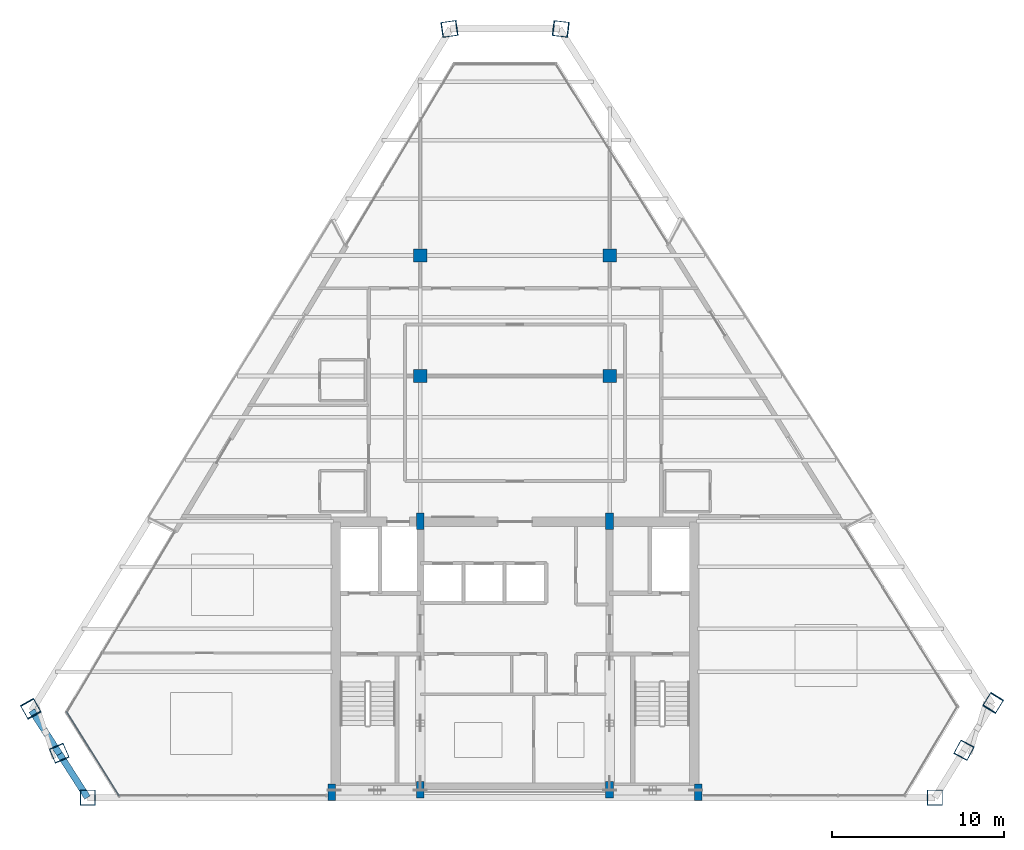
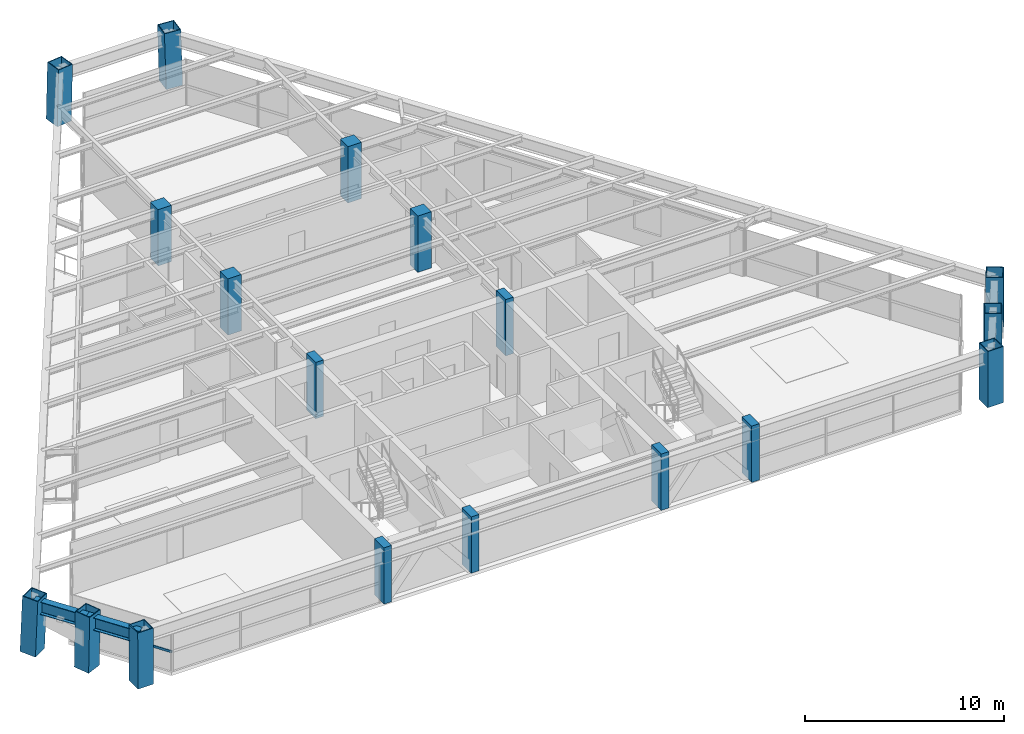
# One storey, part 1 of 12: 18 columns, 2 beams, 1 member, 1 element without a shape of its own.
"""IFC4 building model written with IfcOpenShell, lengths in metres."""

from ifc_helpers import new_model, si_unit, direction, frame, origin, origin_2d, place, context, subcontext, project, spatial, rectangle, hollow_rectangle, i_section, extrude, source, transform, mapped, material, material_profile, profile_set, type_object, element, aggregate, save


model = new_model("IFC4")

# Units and contexts
model_context = context("Model", 3, precision=1e-05, world=origin(), true_north=direction((0.0, 1.0)))
body_context = subcontext(model_context, "Body", "Model", "MODEL_VIEW")
ifc_project = project(units=[si_unit("LENGTHUNIT", "METRE"), si_unit("AREAUNIT", "SQUARE_METRE"), si_unit("VOLUMEUNIT", "CUBIC_METRE"), si_unit("PLANEANGLEUNIT", "RADIAN"), si_unit("MASSUNIT", "GRAM", prefix="KILO")], contexts=[model_context])

# Site, building, storey
site_placement = place(None, origin())
site = spatial("IfcSite", under=ifc_project, at=site_placement, CompositionType="ELEMENT")
building_placement = place(site_placement, origin())
building = spatial("IfcBuilding", under=site, at=building_placement, Name="Varnakhor Terracotta Tower", CompositionType="ELEMENT")
storey_placement = place(building_placement, frame((0.0, 0.0, 223.449951171875)))
storey = spatial("IfcBuildingStorey", under=building, at=storey_placement, Name="L57", CompositionType="ELEMENT", Elevation=223.449951171875)

# Columns
ifc_material_1 = material(Name="Concrete C50/60", Category="concrete")
ifc_material_profile_1 = material_profile(ifc_material_1, rectangle(XDim=0.449951171875, YDim=0.949951171875, at=origin_2d()), Name="RC PILASTER 950x450")
ifc_profile_set_1 = profile_set([ifc_material_profile_1], Name="Concrete C50/60")
column_type_1 = type_object("IfcColumnType", Name="COL-PIL-950x450", PredefinedType="PILASTER", material=ifc_profile_set_1)
shared_shape_1 = source(origin(), body_context, "Body", "SweptSolid", [
    extrude(rectangle(XDim=0.449951171875, YDim=0.949951171875, at=origin_2d()), origin(), (0.0, 0.0, 1.0), 3.449951171875),
])
for number, where, z_axis, x_axis, name in (
    (1, (-10.64990234375, 0.300048828125, 0.0), (0.0, 0.0, 1.0), (1.0, 0.0, 0.0), "L57 Core Pilaster CP1"),
    (2, (-5.5, 0.449951171875, 0.0), (0.0, 0.0, 1.0), (1.0, 0.0, 0.0), "L57 Core Pilaster CP2"),
    (3, (5.5, 0.449951171875, 0.0), (0.0, 0.0, 1.0), (1.0, 0.0, 0.0), "L57 Core Pilaster CP3"),
    (4, (10.64990234375, 0.300048828125, 0.0), (0.0, 0.0, 1.0), (1.0, 0.0, 0.0), "L57 Core Pilaster CP4"),
    (5, (-5.5, 16.050048828125, 0.0), (0.0, 0.0, 1.0), (1.0, 0.0, 0.0), "L57 Core Pilaster CP5"),
    (6, (5.5, 16.050048828125, 0.0), (0.0, 0.0, 1.0), (1.0, 0.0, 0.0), "L57 Core Pilaster CP6"),
):
    element("IfcColumn", number, at=place(storey_placement, frame(where, z_axis=z_axis, x_axis=x_axis)), inside=storey, type_object=column_type_1, Name=name, PredefinedType="PILASTER", context=body_context, shape_type="MappedRepresentation", body=[
        mapped(shared_shape_1, transform((0.0, 0.0, 0.0), scale=1.0)),
    ])
ifc_material_2 = material(Name="Steel S460", Category="steel")
ifc_material_profile_2 = material_profile(ifc_material_2, hollow_rectangle(XDim=0.89990234375, YDim=0.89990234375, WallThickness=0.044921875, at=origin_2d()), Name="BOX 900x900x45")
ifc_profile_set_2 = profile_set([ifc_material_profile_2], Name="Steel S460")
column_type_2 = type_object("IfcColumnType", Name="COL-MEGA-900", PredefinedType="COLUMN", material=ifc_profile_set_2)
shared_shape_2 = source(origin(), body_context, "Body", "SweptSolid", [
    extrude(hollow_rectangle(XDim=0.89990234375, YDim=0.89990234375, WallThickness=0.044921875, at=origin_2d()), origin(), (0.0, 0.0, 1.0), 3.441162109375),
])
for number, where, z_axis, x_axis, name in (
    (7, (-24.828369140625, 0.0, 0.00439453125), (-0.004753404971, 0.0, 0.999988702507), (0.0, -1.0, 0.0), "L57 Perimeter Mega-Column M1"),
    (8, (24.3994140625, 0.0, 0.00439453125), (0.002766928039, 0.0, 0.999996172047), (0.0, 1.0, 0.0), "L57 Perimeter Mega-Column M2"),
):
    element("IfcColumn", number, at=place(storey_placement, frame(where, z_axis=z_axis, x_axis=x_axis)), inside=storey, type_object=column_type_2, Name=name, PredefinedType="COLUMN", context=body_context, shape_type="MappedRepresentation", body=[
        mapped(shared_shape_2, transform((0.0, 0.0, 0.0), scale=1.0)),
    ])
shared_shape_3 = source(origin(), body_context, "Body", "SweptSolid", [
    extrude(hollow_rectangle(XDim=0.89990234375, YDim=0.89990234375, WallThickness=0.044921875, at=origin_2d()), origin(), (0.0, 0.0, 1.0), 3.44189453125),
])
for number, where, z_axis, x_axis, name in (
    (9, (26.100341796875, 2.76025390625, 0.00439453125), (-0.008937740985, -0.016669596282, 0.999821104671), (0.881312658049, -0.47253359538, 0.0), "L57 Perimeter Mega-Column M3"),
    (10, (-26.490478515625, 2.58984375, 0.00439453125), (0.007589951028, -0.017591662196, 0.999816446186), (0.918184808278, 0.396152316475, 0.0), "L57 Perimeter Mega-Column M8"),
):
    element("IfcColumn", number, at=place(storey_placement, frame(where, z_axis=z_axis, x_axis=x_axis)), inside=storey, type_object=column_type_2, Name=name, PredefinedType="COLUMN", context=body_context, shape_type="MappedRepresentation", body=[
        mapped(shared_shape_3, transform((0.0, 0.0, 0.0), scale=1.0)),
    ])
shared_shape_4 = source(origin(), body_context, "Body", "SweptSolid", [
    extrude(hollow_rectangle(XDim=0.89990234375, YDim=0.89990234375, WallThickness=0.044921875, at=origin_2d()), origin(), (0.0, 0.0, 1.0), 3.44384765625),
])
column_1_placement = place(storey_placement, frame((27.80126953125, 5.5205078125, 0.00439453125), z_axis=(-0.020558848127, -0.033390405062, 0.999230911558), x_axis=(0.85153414324, -0.524299154012, 0.0)))
element("IfcColumn", 11, at=column_1_placement, inside=storey, type_object=column_type_2, Name="L57 Perimeter Mega-Column M4", PredefinedType="COLUMN", context=body_context, shape_type="MappedRepresentation", body=[
    mapped(shared_shape_4, transform((0.0, 0.0, 0.0), scale=1.0)),
])
shared_shape_5 = source(origin(), body_context, "Body", "SweptSolid", [
    extrude(hollow_rectangle(XDim=0.89990234375, YDim=0.89990234375, WallThickness=0.044921875, at=origin_2d()), origin(), (0.0, 0.0, 1.0), 3.442138671875),
])
column_2_placement = place(storey_placement, frame((-3.820068359375, 44.667236328125, 0.00439453125), z_axis=(0.023689558785, 0.00340448749, 0.999713566113), x_axis=(-0.142251104665, 0.989830603296, 0.0)))
element("IfcColumn", 12, at=column_2_placement, inside=storey, type_object=column_type_2, Name="L57 Perimeter Mega-Column M6", PredefinedType="COLUMN", context=body_context, shape_type="MappedRepresentation", body=[
    mapped(shared_shape_5, transform((0.0, 0.0, 0.0), scale=1.0)),
])
shared_shape_6 = source(origin(), body_context, "Body", "SweptSolid", [
    extrude(hollow_rectangle(XDim=0.89990234375, YDim=0.89990234375, WallThickness=0.044921875, at=origin_2d()), origin(), (0.0, 0.0, 1.0), 3.444091796875),
])
column_3_placement = place(storey_placement, frame((-28.15234375, 5.1796875, 0.00439453125), z_axis=(0.019848951328, -0.035231888608, 0.999182032042), x_axis=(0.871247627745, 0.490843733941, 0.0)))
element("IfcColumn", 13, at=column_3_placement, inside=storey, type_object=column_type_2, Name="L57 Perimeter Mega-Column M7", PredefinedType="COLUMN", context=body_context, shape_type="MappedRepresentation", body=[
    mapped(shared_shape_6, transform((0.0, 0.0, 0.0), scale=1.0)),
])
ifc_material_profile_3 = material_profile(ifc_material_1, rectangle(XDim=0.780029296875, YDim=0.780029296875, at=origin_2d()), Name="RC 780x780")
ifc_profile_set_3 = profile_set([ifc_material_profile_3], Name="Concrete C50/60")
column_type_3 = type_object("IfcColumnType", Name="COL-RC-780", PredefinedType="COLUMN", material=ifc_profile_set_3)
shared_shape_7 = source(origin(), body_context, "Body", "SweptSolid", [
    extrude(rectangle(XDim=0.780029296875, YDim=0.780029296875, at=origin_2d()), origin(), (0.0, 0.0, 1.0), 3.449951171875),
])
for number, where, z_axis, x_axis, name in (
    (14, (-5.5, 24.5, 0.0), (0.0, 0.0, 1.0), (1.0, 0.0, 0.0), "L57 Interior Tower Column IC1"),
    (15, (5.5, 24.5, 0.0), (0.0, 0.0, 1.0), (1.0, 0.0, 0.0), "L57 Interior Tower Column IC2"),
    (16, (-5.5, 31.5, 0.0), (0.0, 0.0, 1.0), (1.0, 0.0, 0.0), "L57 Interior Tower Column IC3"),
    (17, (5.5, 31.5, 0.0), (0.0, 0.0, 1.0), (1.0, 0.0, 0.0), "L57 Interior Tower Column IC4"),
):
    element("IfcColumn", number, at=place(storey_placement, frame(where, z_axis=z_axis, x_axis=x_axis)), inside=storey, type_object=column_type_3, Name=name, PredefinedType="COLUMN", context=body_context, shape_type="MappedRepresentation", body=[
        mapped(shared_shape_7, transform((0.0, 0.0, 0.0), scale=1.0)),
    ])
shared_shape_8 = source(origin(), body_context, "Body", "SweptSolid", [
    extrude(hollow_rectangle(XDim=0.89990234375, YDim=0.89990234375, WallThickness=0.044921875, at=origin_2d()), origin(), (0.0, 0.0, 1.0), 3.442626953125),
])
column_4_placement = place(storey_placement, frame((2.67919921875, 44.667236328125, 0.00439453125), z_axis=(-0.029005005273, 0.003404010399, 0.999573470227), x_axis=(-0.116559458054, -0.993183715502, 0.0)))
element("IfcColumn", 18, at=column_4_placement, inside=storey, type_object=column_type_2, Name="L57 Perimeter Mega-Column M5", PredefinedType="COLUMN", context=body_context, shape_type="MappedRepresentation", body=[
    mapped(shared_shape_8, transform((0.0, 0.0, 0.0), scale=1.0)),
])

# Beams
ifc_material_3 = material(Name="Steel S355", Category="steel")
ifc_material_profile_4 = material_profile(ifc_material_3, i_section(OverallWidth=0.381103515625, OverallDepth=0.77294921875, WebThickness=0.01708984375, FlangeThickness=0.027099609375, FilletRadius=0.01806640625, at=origin_2d()), Name="W30X173")
ifc_profile_set_4 = profile_set([ifc_material_profile_4], Name="Steel S355")
beam_type = type_object("IfcBeamType", Name="BM-W30X173", PredefinedType="BEAM", material=ifc_profile_set_4)
shared_shape_9 = source(origin(), body_context, "Body", "SweptSolid", [
    extrude(i_section(OverallWidth=0.381103515625, OverallDepth=0.77294921875, WebThickness=0.01708984375, FlangeThickness=0.027099609375, FilletRadius=0.01806640625, at=origin_2d()), origin(), (0.0, 0.0, 1.0), 3.003173828125),
])
beam_1_placement = place(storey_placement, frame((-28.083984375, 5.058349609375, 2.853515625), z_axis=(0.53929819882, -0.842114869094, 0.0), x_axis=(0.842114869094, 0.53929819882, 0.0)))
element("IfcBeam", 19, at=beam_1_placement, inside=storey, type_object=beam_type, Name="L57 Perimeter Spandrel 7", PredefinedType="BEAM", context=body_context, shape_type="MappedRepresentation", body=[
    mapped(shared_shape_9, transform((0.0, 0.0, 0.0), scale=1.0)),
])
shared_shape_10 = source(origin(), body_context, "Body", "SweptSolid", [
    extrude(i_section(OverallWidth=0.381103515625, OverallDepth=0.77294921875, WebThickness=0.01708984375, FlangeThickness=0.027099609375, FilletRadius=0.01806640625, at=origin_2d()), origin(), (0.0, 0.0, 1.0), 3.00341796875),
])
beam_2_placement = place(storey_placement, frame((-26.46435546875, 2.529296875, 2.853515625), z_axis=(0.539261281499, -0.842138510149, 0.0), x_axis=(0.842138510149, 0.539261281499, 0.0)))
element("IfcBeam", 20, at=beam_2_placement, inside=storey, type_object=beam_type, Name="L57 Perimeter Spandrel 8", PredefinedType="BEAM", context=body_context, shape_type="MappedRepresentation", body=[
    mapped(shared_shape_10, transform((0.0, 0.0, 0.0), scale=1.0)),
])

# Curtain wall, member
ifc_material_4 = material(Name="Anodised Aluminium Curtain Wall System", Category="aluminium")
curtain_wall_type = type_object("IfcCurtainWallType", Name="CW-SYS-HOTEL-LOGGIA", PredefinedType="NOTDEFINED", material=ifc_material_4)
curtain_wall_placement = place(storey_placement, origin())
curtain_wall = element("IfcCurtainWall", 21, at=curtain_wall_placement, inside=storey, type_object=curtain_wall_type, Name="L57 Facet Curtain Wall 6", PredefinedType="NOTDEFINED")
ifc_material_5 = material(Name="Anodised Aluminium 6063-T6", Category="aluminium")
ifc_material_profile_5 = material_profile(ifc_material_5, rectangle(XDim=0.06494140625, YDim=0.14501953125, at=origin_2d()), Name="ALU TRANSOM 65x145")
ifc_profile_set_5 = profile_set([ifc_material_profile_5], Name="Anodised Aluminium 6063-T6")
member_type = type_object("IfcMemberType", Name="CWT-04", PredefinedType="USERDEFINED", material=ifc_profile_set_5)
shared_shape_11 = source(origin(), body_context, "Body", "SweptSolid", [
    extrude(rectangle(XDim=0.06494140625, YDim=0.14501953125, at=origin_2d()), origin(), (0.0, 0.0, 1.0), 5.783447265625),
])
member_placement = place(storey_placement, frame((-22.999755859375, 0.089111328125, 1.1845703125), z_axis=(-0.529740889587, 0.848159530925, 0.0), x_axis=(-0.848159530925, -0.529740889587, 0.0)))
member = element("IfcMember", 22, at=member_placement, type_object=member_type, Name="L57 Facet Curtain Wall 6 Transom 1", ObjectType="TRANSOM", PredefinedType="USERDEFINED", context=body_context, shape_type="MappedRepresentation", body=[
    mapped(shared_shape_11, transform((0.0, 0.0, 0.0), scale=1.0)),
])
aggregate(curtain_wall, [member])

save(model, "model.ifc")
